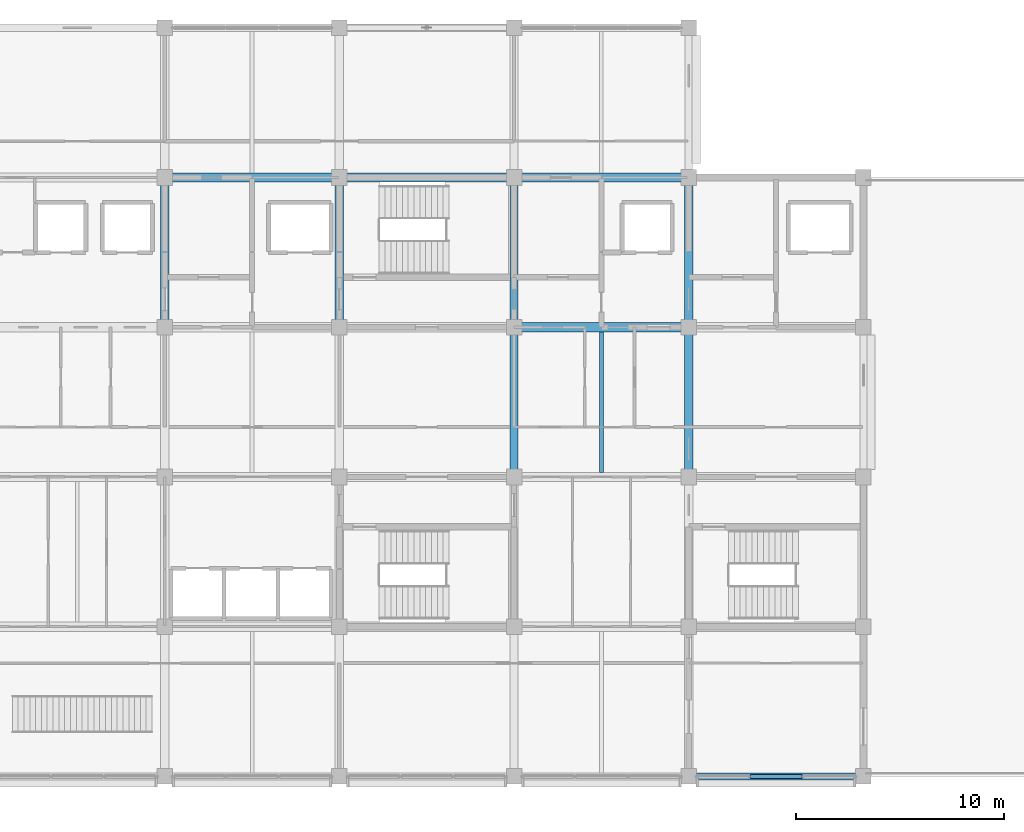
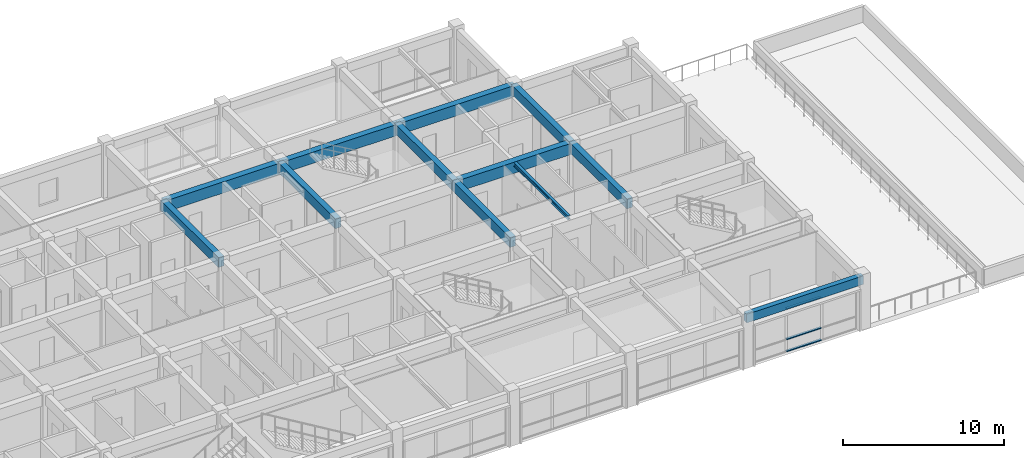
# One storey, part 7 of 27: 12 beams, 3 members, 1 element without a shape of its own.
"""IFC4 building model written with IfcOpenShell, lengths in metres."""

import ifcopenshell
import ifcopenshell.guid

model = None  # the IFC model being written
_history = None  # IfcOwnerHistory: only IFC2X3 demands one
_inside = {}  # id of a spatial element -> (the spatial element, [elements in it])
_under = {}  # id of a project, library or spatial element -> (it, [spatial elements below it])
_declared = {}  # id of a project -> (the project, [libraries it declares])
_typed = {}  # id of a type object -> (the type object, [elements of that type])
_made_of = {}  # id of a material, layer set ... -> (it, [elements and type objects made of it])


def new_model(schema):
    """Start an empty IFC model of exactly this schema.

    Asked for "IFC4X3", IfcOpenShell would pick the latest addendum, in which some entities
    have other attributes; the version numbers below select the first issue.
    IFC2X3 requires an IfcOwnerHistory on every rooted entity: one is made here for all.
    """
    global model, _history
    if schema == "IFC4X3":
        model = ifcopenshell.file(schema_version=(4, 3, 0, 0))
    else:
        model = ifcopenshell.file(schema=schema)
    _inside.clear()
    _under.clear()
    _declared.clear()
    _typed.clear()
    _made_of.clear()
    _history = None
    if model.schema == "IFC2X3":
        org = make("IfcOrganization", Name="unknown")
        user = make(
            "IfcPersonAndOrganization",
            ThePerson=make("IfcPerson", FamilyName="unknown"),
            TheOrganization=org,
        )
        app = make(
            "IfcApplication",
            ApplicationDeveloper=org,
            Version="unknown",
            ApplicationFullName="unknown",
            ApplicationIdentifier="unknown",
        )
        _history = make(
            "IfcOwnerHistory",
            OwningUser=user,
            OwningApplication=app,
            ChangeAction="ADDED",
            CreationDate=0,
        )
    return model


def make(cls, **values):
    """One entity of the class cls with the attributes given. An attribute that is None is left unset."""
    return model.create_entity(
        cls, **{name: value for name, value in values.items() if value is not None}
    )


def rooted(cls, **values):
    """An entity with a GlobalId (a new one), such as an element, a storey or a relation."""
    return make(cls, GlobalId=ifcopenshell.guid.new(), OwnerHistory=_history, **values)


def si_unit(unit_type, name, prefix=None):
    """IfcSIUnit, for example si_unit("LENGTHUNIT", "METRE", prefix="MILLI")."""
    return make("IfcSIUnit", UnitType=unit_type, Prefix=prefix, Name=name)


def assignment(units):
    """IfcUnitAssignment: the units of a project."""
    return None if units is None else make("IfcUnitAssignment", Units=units)


def point(xyz):
    """IfcCartesianPoint."""
    return None if xyz is None else make("IfcCartesianPoint", Coordinates=xyz)


def direction(xyz):
    """IfcDirection."""
    return None if xyz is None else make("IfcDirection", DirectionRatios=xyz)


def frame(location, z_axis=None, x_axis=None):
    """IfcAxis2Placement3D, a coordinate frame: its origin and axes. An axis left out is left unset."""
    return make(
        "IfcAxis2Placement3D",
        Location=point(location),
        Axis=direction(z_axis),
        RefDirection=direction(x_axis),
    )


def frame_2d(location, x_axis=None):
    """IfcAxis2Placement2D, a coordinate frame in the plane: its origin and x axis."""
    return make(
        "IfcAxis2Placement2D", Location=point(location), RefDirection=direction(x_axis)
    )


def origin():
    """The frame at (0, 0, 0) with its axes left unset."""
    return frame((0.0, 0.0, 0.0))


def origin_2d():
    """The frame at (0, 0) in the plane with its x axis left unset."""
    return frame_2d((0.0, 0.0))


def place(relative_to, where):
    """IfcLocalPlacement: puts the frame where relative to a parent placement (None: the world)."""
    return make(
        "IfcLocalPlacement", PlacementRelTo=relative_to, RelativePlacement=where
    )


def context(
    kind, dimensions, precision=None, world=None, true_north=None, identifier=None
):
    """IfcGeometricRepresentationContext, for example the 3D "Model" context."""
    return make(
        "IfcGeometricRepresentationContext",
        ContextIdentifier=identifier,
        ContextType=kind,
        CoordinateSpaceDimension=dimensions,
        Precision=precision,
        WorldCoordinateSystem=world,
        TrueNorth=true_north,
    )


def subcontext(parent, identifier, kind, view, scale=None):
    """IfcGeometricRepresentationSubContext, for example "Body" below "Model"."""
    return make(
        "IfcGeometricRepresentationSubContext",
        ContextIdentifier=identifier,
        ContextType=kind,
        ParentContext=parent,
        TargetScale=scale,
        TargetView=view,
    )


def project(units=None, contexts=None):
    """IfcProject with its units and contexts."""
    return rooted(
        "IfcProject",
        Name="project",
        RepresentationContexts=contexts,
        UnitsInContext=assignment(units),
    )


def spatial(cls, under=None, at=None, **own):
    """A site, building, storey or space (cls), placed at a placement, below another one or the project."""
    s = rooted(cls, ObjectPlacement=at, **own)
    if under is not None:
        _under.setdefault(under.id(), (under, []))[1].append(s)
    return s


def profile(cls, at=None, kind="AREA", **sizes):
    """A parametric profile (cls). Its sizes go by their IFC names, for example OverallWidth=200.0."""
    return make(cls, ProfileType=kind, Position=at, **sizes)


def rectangle(**sizes):
    """IfcRectangleProfileDef."""
    return profile("IfcRectangleProfileDef", **sizes)


def i_section(**sizes):
    """IfcIShapeProfileDef."""
    return profile("IfcIShapeProfileDef", **sizes)


def extrude(swept, where, along, depth):
    """IfcExtrudedAreaSolid: the profile swept, set in the frame where, extruded along a direction by depth."""
    return make(
        "IfcExtrudedAreaSolid",
        SweptArea=swept,
        Position=where,
        ExtrudedDirection=direction(along),
        Depth=depth,
    )


def shape(context_of_items, identifier, shape_type, items):
    """IfcShapeRepresentation: the items that make up one representation, for example the "Body"."""
    return make(
        "IfcShapeRepresentation",
        ContextOfItems=context_of_items,
        RepresentationIdentifier=identifier,
        RepresentationType=shape_type,
        Items=items,
    )


def material(Name=None, Category=None):
    """IfcMaterial."""
    return make("IfcMaterial", Name=Name, Category=Category)


def layer(
    of_material, thickness, ventilated=None, Name=None, Category=None, Priority=None
):
    """IfcMaterialLayer: one layer of a wall or slab, of a material (None: an air gap)."""
    return make(
        "IfcMaterialLayer",
        Material=of_material,
        LayerThickness=thickness,
        IsVentilated=ventilated,
        Name=Name,
        Category=Category,
        Priority=Priority,
    )


def layer_set(layers, Name=None):
    """IfcMaterialLayerSet."""
    return make("IfcMaterialLayerSet", MaterialLayers=layers, LayerSetName=Name)


def material_profile(
    of_material, cross_section, Name=None, Category=None, Priority=None
):
    """IfcMaterialProfile: a cross section and its material."""
    return make(
        "IfcMaterialProfile",
        Name=Name,
        Material=of_material,
        Profile=cross_section,
        Priority=Priority,
        Category=Category,
    )


def profile_set(profiles, Name=None, composite=None):
    """IfcMaterialProfileSet."""
    return make(
        "IfcMaterialProfileSet",
        Name=Name,
        MaterialProfiles=profiles,
        CompositeProfile=composite,
    )


def made_of(thing, what):
    """Note that an element or type object is made of a material, layer set ...; save() writes the relation."""
    if what is not None:
        _made_of.setdefault(what.id(), (what, []))[1].append(thing)
    return thing


def type_object(cls, material=None, **own):
    """A type object (cls), such as IfcWallType, which elements share."""
    return made_of(rooted(cls, **own), material)


def element(
    cls,
    number,
    at=None,
    inside=None,
    cuts=None,
    type_object=None,
    material=None,
    context=None,
    identifier="Body",
    shape_type=None,
    held_by="IfcProductDefinitionShape",
    body=None,
    shapes=None,
    **own,
):
    """One element of the class cls, such as IfcWall. Its Tag is "e" and its number.

    at: its placement. inside: the storey or other place that contains it. cuts: it is an
    opening in that element (IfcRelVoidsElement). A single representation is given by context,
    identifier, shape_type and body (its items); several are given by shapes. held_by: the class
    of the entity that holds the representations. save() writes the other relations.
    """
    e = rooted(cls, Tag="e%d" % number, ObjectPlacement=at, **own)
    if body is not None:
        shapes = [shape(context, identifier, shape_type, body)]
    if shapes is not None:
        e.Representation = make(held_by, Representations=shapes)
    if inside is not None:
        _inside.setdefault(inside.id(), (inside, []))[1].append(e)
    if cuts is not None:
        rooted(
            "IfcRelVoidsElement", RelatingBuildingElement=cuts, RelatedOpeningElement=e
        )
    if type_object is not None:
        _typed.setdefault(type_object.id(), (type_object, []))[1].append(e)
    return made_of(e, material)


def aggregate(whole, parts):
    """IfcRelAggregates: a whole, such as a stair, and the parts it consists of."""
    return rooted("IfcRelAggregates", RelatingObject=whole, RelatedObjects=parts)


def save(model, path):
    """Write the relations noted so far, then the file.

    IfcRelAggregates (storeys below a building ...), IfcRelContainedInSpatialStructure (elements
    in a storey), IfcRelDefinesByType, IfcRelAssociatesMaterial and IfcRelDeclares: one each for
    every whole, place, type object, material and project.
    """
    for whole, parts in _under.values():
        aggregate(whole, parts)
    for where, things in _inside.values():
        rooted(
            "IfcRelContainedInSpatialStructure",
            RelatedElements=things,
            RelatingStructure=where,
        )
    for kind, things in _typed.values():
        rooted("IfcRelDefinesByType", RelatedObjects=things, RelatingType=kind)
    for what, things in _made_of.values():
        rooted("IfcRelAssociatesMaterial", RelatedObjects=things, RelatingMaterial=what)
    for by, libraries in _declared.values():
        rooted("IfcRelDeclares", RelatingContext=by, RelatedDefinitions=libraries)
    model.write(path)


model = new_model("IFC4")

# Units and contexts
model_context = context("Model", 3, precision=1e-05, world=origin(), true_north=direction((0.0, 1.0)))
body_context = subcontext(model_context, "Body", "Model", "MODEL_VIEW")
ifc_project = project(units=[si_unit("LENGTHUNIT", "METRE"), si_unit("AREAUNIT", "SQUARE_METRE"), si_unit("VOLUMEUNIT", "CUBIC_METRE"), si_unit("PLANEANGLEUNIT", "RADIAN"), si_unit("MASSUNIT", "GRAM", prefix="KILO")], contexts=[model_context])

# Site, building, storey
site_placement = place(None, origin())
site = spatial("IfcSite", under=ifc_project, at=site_placement, CompositionType="ELEMENT")
building_placement = place(site_placement, origin())
building = spatial("IfcBuilding", under=site, at=building_placement, Name="Chengyuan Square Courthouse", CompositionType="ELEMENT")
storey_placement = place(building_placement, frame((0.0, 0.0, 35.10009765625)))
storey = spatial("IfcBuildingStorey", under=building, at=storey_placement, Name="L08", CompositionType="ELEMENT", Elevation=35.10009765625)

# Beams
ifc_material_1 = material(Name="Concrete C40", Category="concrete")
ifc_material_profile_1 = material_profile(ifc_material_1, rectangle(XDim=0.449951171875, YDim=0.85009765625, at=origin_2d()), Name="RC-BM-450x850")
ifc_profile_set_1 = profile_set([ifc_material_profile_1], Name="Concrete C40")
beam_type_1 = type_object("IfcBeamType", Name="BM-01", PredefinedType="USERDEFINED", material=ifc_profile_set_1)
for number, where, z_axis, x_axis, name in (
    (1, (109.199951171875, 100.800048828125, 3.52490234375), (1.0, 0.0, 0.0), (0.0, 1.0, 0.0), "Girder BM-L08-3806"),
    (2, (92.39990234375, 108.0, 3.52490234375), (1.0, 0.0, 0.0), (0.0, 1.0, 0.0), "Girder BM-L08-3814"),
):
    element("IfcBeam", number, at=place(storey_placement, frame(where, z_axis=z_axis, x_axis=x_axis)), inside=storey, type_object=beam_type_1, Name=name, ObjectType="GIRDER", PredefinedType="USERDEFINED", context=body_context, shape_type="SweptSolid", body=[
        extrude(rectangle(XDim=0.449951171875, YDim=0.85009765625, at=origin_2d()), origin(), (0.0, 0.0, 1.0), 8.400146484375),
    ])
beam_1_placement = place(storey_placement, frame((100.800048828125, 108.0, 3.52490234375), z_axis=(1.0, 0.0, 0.0), x_axis=(0.0, 1.0, 0.0)))
element("IfcBeam", 3, at=beam_1_placement, inside=storey, type_object=beam_type_1, Name="Girder BM-L08-3815", ObjectType="GIRDER", PredefinedType="USERDEFINED", context=body_context, shape_type="SweptSolid", body=[
    extrude(rectangle(XDim=0.449951171875, YDim=0.85009765625, at=origin_2d()), origin(), (0.0, 0.0, 1.0), 8.39990234375),
])
beam_2_placement = place(storey_placement, frame((109.199951171875, 108.0, 3.52490234375), z_axis=(1.0, 0.0, 0.0), x_axis=(0.0, 1.0, 0.0)))
element("IfcBeam", 4, at=beam_2_placement, inside=storey, type_object=beam_type_1, Name="Girder BM-L08-3816", ObjectType="GIRDER", PredefinedType="USERDEFINED", context=body_context, shape_type="SweptSolid", body=[
    extrude(rectangle(XDim=0.449951171875, YDim=0.85009765625, at=origin_2d()), origin(), (0.0, 0.0, 1.0), 8.400146484375),
])
ifc_material_profile_2 = material_profile(ifc_material_1, rectangle(XDim=0.39990234375, YDim=0.75, at=origin_2d()), Name="RC-BM-400x750")
ifc_profile_set_2 = profile_set([ifc_material_profile_2], Name="Concrete C40")
beam_type_2 = type_object("IfcBeamType", Name="BM-02", PredefinedType="USERDEFINED", material=ifc_profile_set_2)
for number, where, z_axis, x_axis, name in (
    (5, (92.39990234375, 100.800048828125, 3.574951171875), (0.0, 1.0, 0.0), (-1.0, 0.0, 0.0), "Girder BM-L08-3858"),
    (6, (100.800048828125, 100.800048828125, 3.574951171875), (0.0, 1.0, 0.0), (-1.0, 0.0, 0.0), "Girder BM-L08-3863"),
    (7, (109.199951171875, 93.60009765625, 3.574951171875), (0.0, 1.0, 0.0), (-1.0, 0.0, 0.0), "Girder BM-L08-3867"),
    (8, (109.199951171875, 100.800048828125, 3.574951171875), (0.0, 1.0, 0.0), (-1.0, 0.0, 0.0), "Girder BM-L08-3868"),
    (9, (117.60009765625, 93.60009765625, 3.574951171875), (0.0, 1.0, 0.0), (-1.0, 0.0, 0.0), "Girder BM-L08-3872"),
    (10, (117.60009765625, 100.800048828125, 3.574951171875), (0.0, 1.0, 0.0), (-1.0, 0.0, 0.0), "Girder BM-L08-3873"),
):
    element("IfcBeam", number, at=place(storey_placement, frame(where, z_axis=z_axis, x_axis=x_axis)), inside=storey, type_object=beam_type_2, Name=name, ObjectType="GIRDER", PredefinedType="USERDEFINED", context=body_context, shape_type="SweptSolid", body=[
        extrude(rectangle(XDim=0.39990234375, YDim=0.75, at=origin_2d()), origin(), (0.0, 0.0, 1.0), 7.199951171875),
    ])
ifc_material_profile_3 = material_profile(ifc_material_1, rectangle(XDim=0.35009765625, YDim=0.64990234375, at=origin_2d()), Name="RC-BM-350x650")
ifc_profile_set_3 = profile_set([ifc_material_profile_3], Name="Concrete C40")
beam_type_3 = type_object("IfcBeamType", Name="BM-03", PredefinedType="SPANDREL", material=ifc_profile_set_3)
beam_3_placement = place(storey_placement, frame((117.60009765625, 79.199951171875, 3.625), z_axis=(1.0, 0.0, 0.0), x_axis=(0.0, 1.0, 0.0)))
element("IfcBeam", 11, at=beam_3_placement, inside=storey, type_object=beam_type_3, Name="Girder BM-L08-3777", PredefinedType="SPANDREL", context=body_context, shape_type="SweptSolid", body=[
    extrude(rectangle(XDim=0.35009765625, YDim=0.64990234375, at=origin_2d()), origin(), (0.0, 0.0, 1.0), 8.39990234375),
])
ifc_material_2 = material(Name="Steel Q355B", Category="steel")
ifc_material_profile_4 = material_profile(ifc_material_2, i_section(OverallWidth=0.199951171875, OverallDepth=0.300048828125, WebThickness=0.008056640625, FlangeThickness=0.011962890625, at=origin_2d()), Name="HM 300x200x8x12")
ifc_profile_set_4 = profile_set([ifc_material_profile_4], Name="Steel Q355B")
beam_type_4 = type_object("IfcBeamType", Name="BM-09", PredefinedType="BEAM", material=ifc_profile_set_4)
beam_4_placement = place(storey_placement, frame((113.39990234375, 93.824951171875, 3.7998046875), z_axis=(0.0, 1.0, 0.0), x_axis=(-1.0, 0.0, 0.0)))
element("IfcBeam", 12, at=beam_4_placement, inside=storey, type_object=beam_type_4, Name="Secondary Floor Beam SBM-L08-3894", PredefinedType="BEAM", context=body_context, shape_type="SweptSolid", body=[
    extrude(i_section(OverallWidth=0.199951171875, OverallDepth=0.300048828125, WebThickness=0.008056640625, FlangeThickness=0.011962890625, at=origin_2d()), origin(), (0.0, 0.0, 1.0), 6.75),
])

# Curtain wall, members
ifc_material_3 = material(Name="Unitised Aluminium and Triple Low-E Glass", Category="aluminium")
ifc_layer = layer(ifc_material_3, 0.179931640625)
ifc_layer_set = layer_set([ifc_layer], Name="Unitised Aluminium and Triple Low-E Glass")
curtain_wall_type = type_object("IfcCurtainWallType", Name="CW-22", PredefinedType="USERDEFINED", material=ifc_layer_set)
curtain_wall_placement = place(storey_placement, origin())
curtain_wall = element("IfcCurtainWall", 13, at=curtain_wall_placement, inside=storey, type_object=curtain_wall_type, Name="Unitised Curtain Wall CW-L08-233", ObjectType="UNITISED CURTAIN WALL", PredefinedType="USERDEFINED")
ifc_material_4 = material(Name="Aluminium 6063-T6 Frame", Category="aluminium")
ifc_material_profile_5 = material_profile(ifc_material_4, rectangle(XDim=0.179931640625, YDim=0.06494140625, at=origin_2d()), Name="CW-TRN-65x140")
ifc_profile_set_5 = profile_set([ifc_material_profile_5], Name="Aluminium 6063-T6 Frame")
member_type = type_object("IfcMemberType", Name="CWT-02", PredefinedType="USERDEFINED", material=ifc_profile_set_5)
member_1_placement = place(storey_placement, frame((120.5576171875, 79.199951171875, 0.032470703125), z_axis=(1.0, 0.0, 0.0), x_axis=(0.0, 1.0, 0.0)))
member_1 = element("IfcMember", 14, at=member_1_placement, type_object=member_type, Name="CW-22 transom 2.1", ObjectType="TRANSOM", PredefinedType="USERDEFINED", context=body_context, shape_type="SweptSolid", body=[
    extrude(rectangle(XDim=0.179931640625, YDim=0.06494140625, at=origin_2d()), origin(), (0.0, 0.0, 1.0), 2.48486328125),
])
member_2_placement = place(storey_placement, frame((120.5576171875, 79.199951171875, 0.949951171875), z_axis=(1.0, 0.0, 0.0), x_axis=(0.0, 1.0, 0.0)))
member_2 = element("IfcMember", 15, at=member_2_placement, type_object=member_type, Name="CW-22 transom 2.2", ObjectType="TRANSOM", PredefinedType="USERDEFINED", context=body_context, shape_type="SweptSolid", body=[
    extrude(rectangle(XDim=0.179931640625, YDim=0.06494140625, at=origin_2d()), origin(), (0.0, 0.0, 1.0), 2.48486328125),
])
member_3_placement = place(storey_placement, frame((120.5576171875, 79.199951171875, 3.267333984375), z_axis=(1.0, 0.0, 0.0), x_axis=(0.0, 1.0, 0.0)))
member_3 = element("IfcMember", 16, at=member_3_placement, type_object=member_type, Name="CW-22 transom 2.3", ObjectType="TRANSOM", PredefinedType="USERDEFINED", context=body_context, shape_type="SweptSolid", body=[
    extrude(rectangle(XDim=0.179931640625, YDim=0.06494140625, at=origin_2d()), origin(), (0.0, 0.0, 1.0), 2.48486328125),
])
aggregate(curtain_wall, [member_1, member_2, member_3])

save(model, "model.ifc")
